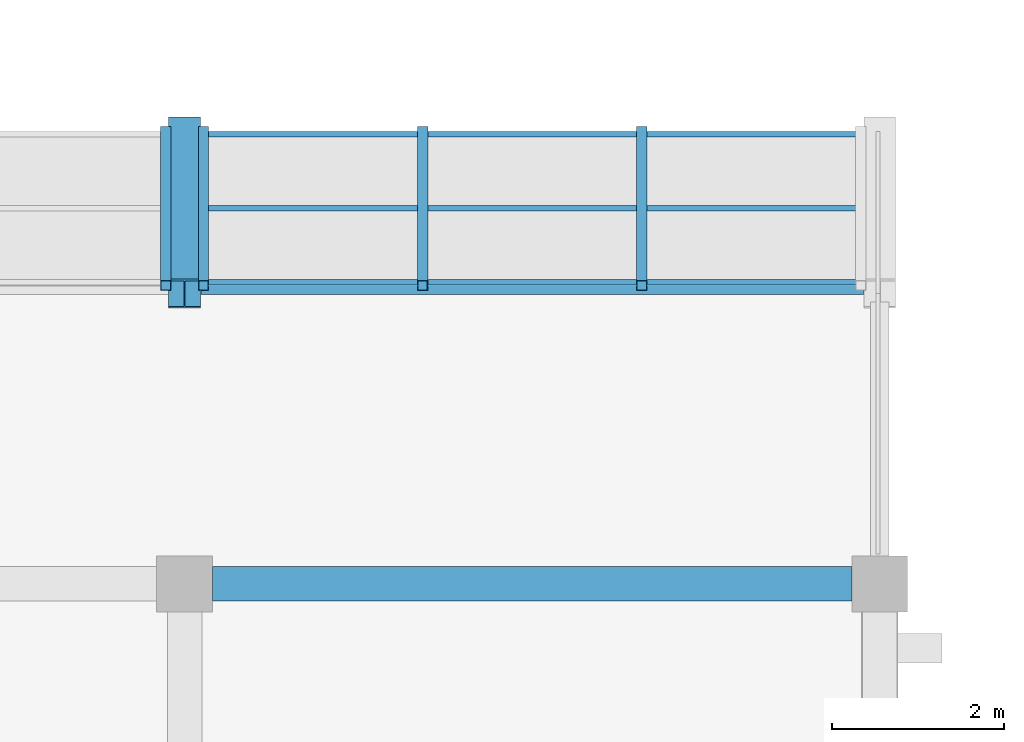
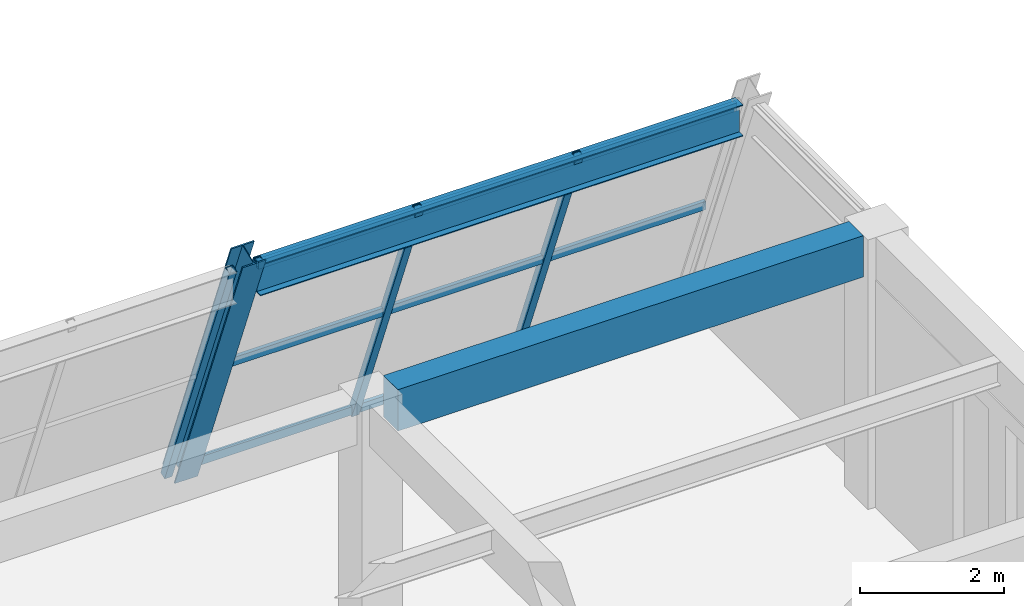
# One storey, part 101 of 161: 8 members, 2 beams, 2 elements without a shape of their own.
"""IFC4 building model written with IfcOpenShell, lengths in metres."""

from ifc_helpers import new_model, si_unit, direction, frame, origin, origin_2d, place, context, subcontext, project, spatial, rectangle, hollow_rectangle, i_section, extrude, material, material_profile, profile_set, type_object, element, aggregate, save


model = new_model("IFC4")

# Units and contexts
model_context = context("Model", 3, precision=1e-05, world=origin(), true_north=direction((0.0, 1.0)))
body_context = subcontext(model_context, "Body", "Model", "MODEL_VIEW")
ifc_project = project(units=[si_unit("LENGTHUNIT", "METRE"), si_unit("AREAUNIT", "SQUARE_METRE"), si_unit("VOLUMEUNIT", "CUBIC_METRE"), si_unit("PLANEANGLEUNIT", "RADIAN"), si_unit("MASSUNIT", "GRAM", prefix="KILO")], contexts=[model_context])

# Site, building, storey
site_placement = place(None, origin())
site = spatial("IfcSite", under=ifc_project, at=site_placement, CompositionType="ELEMENT")
building_placement = place(site_placement, origin())
building = spatial("IfcBuilding", under=site, at=building_placement, Name="Cimatlan Art Gallery", CompositionType="ELEMENT")
storey_placement = place(building_placement, frame((0.0, 0.0, 5.39990234375)))
storey = spatial("IfcBuildingStorey", under=building, at=storey_placement, Name="L01", CompositionType="ELEMENT", Elevation=5.39990234375)

# Beams
ifc_material_1 = material(Name="Concrete C40/50", Category="concrete")
ifc_material_profile_1 = material_profile(ifc_material_1, rectangle(XDim=0.39990234375, YDim=0.699951171875, at=origin_2d()), Name="RC400X700")
ifc_profile_set_1 = profile_set([ifc_material_profile_1], Name="Concrete C40/50")
beam_type_1 = type_object("IfcBeamType", Name="BM-RC-400X700", PredefinedType="BEAM", material=ifc_profile_set_1)
beam_1_placement = place(storey_placement, frame((123.824951171875, 90.5, 4.210205078125), z_axis=(1.0, 0.0, 0.0), x_axis=(0.0, 1.0, 0.0)))
element("IfcBeam", 1, at=beam_1_placement, inside=storey, type_object=beam_type_1, Name="BM-X-L01-15-12", PredefinedType="BEAM", context=body_context, shape_type="SweptSolid", body=[
    extrude(rectangle(XDim=0.39990234375, YDim=0.699951171875, at=origin_2d()), origin(), (0.0, 0.0, 1.0), 7.449951171875),
])
ifc_material_2 = material(Name="Steel ASTM A992 Grade 50", Category="steel")
ifc_material_profile_2 = material_profile(ifc_material_2, i_section(OverallWidth=0.2099609375, OverallDepth=0.532958984375, WebThickness=0.01025390625, FlangeThickness=0.015625, at=origin_2d()), Name="W21X62")
ifc_profile_set_2 = profile_set([ifc_material_profile_2], Name="Steel ASTM A992 Grade 50")
beam_type_2 = type_object("IfcBeamType", Name="BM-STL-W21X62", PredefinedType="BEAM", material=ifc_profile_set_2)
beam_2_placement = place(storey_placement, frame((123.68994140625, 93.976806640625, 4.293701171875), z_axis=(1.0, 0.0, 0.0), x_axis=(0.0, 1.0, 0.0)))
element("IfcBeam", 2, at=beam_2_placement, inside=storey, type_object=beam_type_2, Name="BM-PRW-X-L01-B4-15", PredefinedType="BEAM", context=body_context, shape_type="SweptSolid", body=[
    extrude(i_section(OverallWidth=0.2099609375, OverallDepth=0.532958984375, WebThickness=0.01025390625, FlangeThickness=0.015625, at=origin_2d()), origin(), (0.0, 0.0, 1.0), 7.719970703125),
])

# Curtain wall, member
ifc_material_3 = material(Name="Raked steel-and-bronze lancet curtain wall", Category="steel")
curtain_wall_type = type_object("IfcCurtainWallType", Name="CW-RAK-07660X04901-B3", PredefinedType="NOTDEFINED", material=ifc_material_3)
curtain_wall_1_placement = place(storey_placement, origin())
curtain_wall_1 = element("IfcCurtainWall", 3, at=curtain_wall_1_placement, inside=storey, type_object=curtain_wall_type, Name="CW-PROW-L01-B4-14", PredefinedType="NOTDEFINED")
ifc_material_4 = material(Name="Steel ASTM A500 Grade C", Category="steel")
ifc_material_profile_3 = material_profile(ifc_material_4, hollow_rectangle(XDim=0.1201171875, YDim=0.1201171875, WallThickness=0.00634765625, at=origin_2d()), Name="HSS120X120X6")
ifc_profile_set_3 = profile_set([ifc_material_profile_3], Name="Steel ASTM A500 Grade C")
member_type_1 = type_object("IfcMemberType", Name="CW-MUL-RAK", PredefinedType="MULLION", material=ifc_profile_set_3)
member_1_placement = place(storey_placement, frame((123.280029296875, 95.77294921875, 0.0), z_axis=(0.0, -0.366481396036, 0.930425379254), x_axis=(1.0, 0.0, 0.0)))
member_1 = element("IfcMember", 4, at=member_1_placement, type_object=member_type_1, Name="CW-PROW-L01-B4-14-M4", PredefinedType="MULLION", context=body_context, shape_type="SweptSolid", body=[
    extrude(hollow_rectangle(XDim=0.1201171875, YDim=0.1201171875, WallThickness=0.00634765625, at=origin_2d()), origin(), (0.0, 0.0, 1.0), 4.901123046875),
])
aggregate(curtain_wall_1, [member_1])

# Curtain wall, members
curtain_wall_2_placement = place(storey_placement, origin())
curtain_wall_2 = element("IfcCurtainWall", 5, at=curtain_wall_2_placement, inside=storey, type_object=curtain_wall_type, Name="CW-PROW-L01-B4-15", PredefinedType="NOTDEFINED")
member_2_placement = place(storey_placement, frame((123.719970703125, 95.77294921875, 0.0), z_axis=(0.0, -0.366481396036, 0.930425379254), x_axis=(1.0, 0.0, 0.0)))
member_2 = element("IfcMember", 6, at=member_2_placement, type_object=member_type_1, Name="CW-PROW-L01-B4-15-M1", PredefinedType="MULLION", context=body_context, shape_type="SweptSolid", body=[
    extrude(hollow_rectangle(XDim=0.1201171875, YDim=0.1201171875, WallThickness=0.00634765625, at=origin_2d()), origin(), (0.0, 0.0, 1.0), 4.901123046875),
])
member_3_placement = place(storey_placement, frame((126.273193359375, 95.77294921875, 0.0), z_axis=(0.0, -0.366481396036, 0.930425379254), x_axis=(1.0, 0.0, 0.0)))
member_3 = element("IfcMember", 7, at=member_3_placement, type_object=member_type_1, Name="CW-PROW-L01-B4-15-M2", PredefinedType="MULLION", context=body_context, shape_type="SweptSolid", body=[
    extrude(hollow_rectangle(XDim=0.1201171875, YDim=0.1201171875, WallThickness=0.00634765625, at=origin_2d()), origin(), (0.0, 0.0, 1.0), 4.901123046875),
])
member_4_placement = place(storey_placement, frame((128.82666015625, 95.77294921875, 0.0), z_axis=(0.0, -0.366481396036, 0.930425379254), x_axis=(1.0, 0.0, 0.0)))
member_4 = element("IfcMember", 8, at=member_4_placement, type_object=member_type_1, Name="CW-PROW-L01-B4-15-M3", PredefinedType="MULLION", context=body_context, shape_type="SweptSolid", body=[
    extrude(hollow_rectangle(XDim=0.1201171875, YDim=0.1201171875, WallThickness=0.00634765625, at=origin_2d()), origin(), (0.0, 0.0, 1.0), 4.901123046875),
])
ifc_material_5 = material(Name="Anodised bronze aluminium 6063-T6", Category="aluminium")
ifc_material_profile_4 = material_profile(ifc_material_5, hollow_rectangle(XDim=0.06494140625, YDim=0.139892578125, WallThickness=0.00390625, at=origin_2d()), Name="ALU65X140X4")
ifc_profile_set_4 = profile_set([ifc_material_profile_4], Name="Anodised bronze aluminium 6063-T6")
member_type_2 = type_object("IfcMemberType", Name="CW-TRN-140", PredefinedType="USERDEFINED", material=ifc_profile_set_4)
member_5_placement = place(storey_placement, frame((123.719970703125, 95.737060546875, 0.09130859375), z_axis=(1.0, 0.0, 0.0), x_axis=(0.0, 1.0, 0.0)))
member_5 = element("IfcMember", 9, at=member_5_placement, type_object=member_type_2, Name="CW-PROW-L01-B4-15-T1", ObjectType="TRANSOM", PredefinedType="USERDEFINED", context=body_context, shape_type="SweptSolid", body=[
    extrude(hollow_rectangle(XDim=0.06494140625, YDim=0.139892578125, WallThickness=0.00390625, at=origin_2d()), origin(), (0.0, 0.0, 1.0), 7.659912109375),
])
member_6_placement = place(storey_placement, frame((123.719970703125, 94.874755859375, 2.280029296875), z_axis=(1.0, 0.0, 0.0), x_axis=(0.0, 1.0, 0.0)))
member_6 = element("IfcMember", 10, at=member_6_placement, type_object=member_type_2, Name="CW-PROW-L01-B4-15-T2", ObjectType="TRANSOM", PredefinedType="USERDEFINED", context=body_context, shape_type="SweptSolid", body=[
    extrude(hollow_rectangle(XDim=0.06494140625, YDim=0.139892578125, WallThickness=0.00390625, at=origin_2d()), origin(), (0.0, 0.0, 1.0), 7.659912109375),
])
member_7_placement = place(storey_placement, frame((123.719970703125, 94.0126953125, 4.468994140625), z_axis=(1.0, 0.0, 0.0), x_axis=(0.0, 1.0, 0.0)))
member_7 = element("IfcMember", 11, at=member_7_placement, type_object=member_type_2, Name="CW-PROW-L01-B4-15-T3", ObjectType="TRANSOM", PredefinedType="USERDEFINED", context=body_context, shape_type="SweptSolid", body=[
    extrude(hollow_rectangle(XDim=0.06494140625, YDim=0.139892578125, WallThickness=0.00390625, at=origin_2d()), origin(), (0.0, 0.0, 1.0), 7.659912109375),
])
aggregate(curtain_wall_2, [member_2, member_3, member_4, member_5, member_6, member_7])

# Member
ifc_material_profile_5 = material_profile(ifc_material_2, i_section(OverallWidth=0.37109375, OverallDepth=0.364013671875, WebThickness=0.01318359375, FlangeThickness=0.021728515625, at=origin_2d()), Name="W14X109")
ifc_profile_set_5 = profile_set([ifc_material_profile_5], Name="Steel ASTM A992 Grade 50")
member_type_3 = type_object("IfcMemberType", Name="MBR-RAK-W14X109", PredefinedType="RAFTER", material=ifc_profile_set_5)
member_8_placement = place(storey_placement, frame((123.5, 95.77294921875, 0.0), z_axis=(0.0, -0.366514587358, 0.930412304978), x_axis=(1.0, 0.0, 0.0)))
element("IfcMember", 12, at=member_8_placement, inside=storey, type_object=member_type_3, Name="MBR-RAK-L01-B4-15", PredefinedType="RAFTER", context=body_context, shape_type="SweptSolid", body=[
    extrude(i_section(OverallWidth=0.37109375, OverallDepth=0.364013671875, WebThickness=0.01318359375, FlangeThickness=0.021728515625, at=origin_2d()), origin(), (0.0, 0.0, 1.0), 5.158935546875),
])

save(model, "model.ifc")
